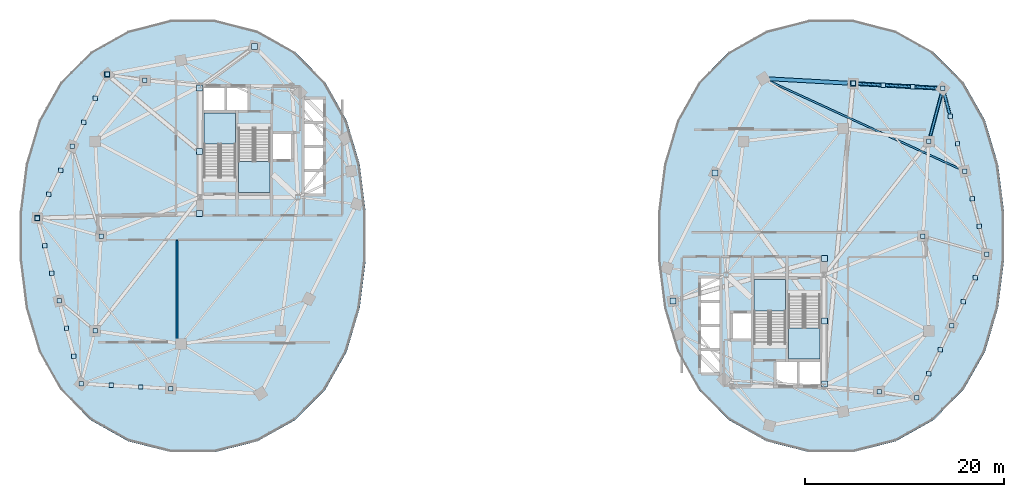
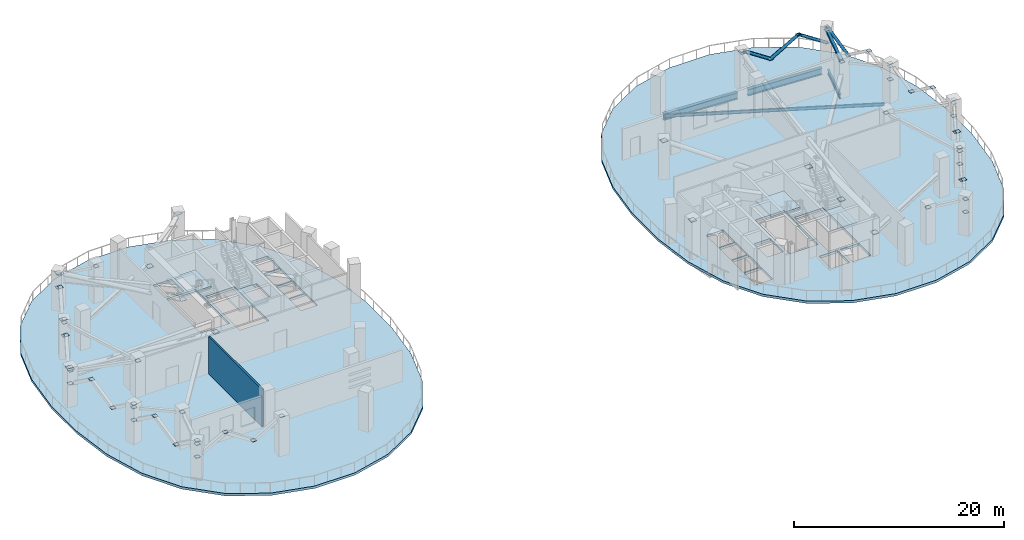
# One storey, part 4 of 12: 68 plates, 6 slabs, 5 members, 4 beams, 1 wall, 4 elements without a shape of their own.
"""IFC4 building model written with IfcOpenShell, lengths in metres."""

import ifcopenshell
import ifcopenshell.guid

model = None  # the IFC model being written
_history = None  # IfcOwnerHistory: only IFC2X3 demands one
_inside = {}  # id of a spatial element -> (the spatial element, [elements in it])
_under = {}  # id of a project, library or spatial element -> (it, [spatial elements below it])
_declared = {}  # id of a project -> (the project, [libraries it declares])
_typed = {}  # id of a type object -> (the type object, [elements of that type])
_made_of = {}  # id of a material, layer set ... -> (it, [elements and type objects made of it])


def new_model(schema):
    """Start an empty IFC model of exactly this schema.

    Asked for "IFC4X3", IfcOpenShell would pick the latest addendum, in which some entities
    have other attributes; the version numbers below select the first issue.
    IFC2X3 requires an IfcOwnerHistory on every rooted entity: one is made here for all.
    """
    global model, _history
    if schema == "IFC4X3":
        model = ifcopenshell.file(schema_version=(4, 3, 0, 0))
    else:
        model = ifcopenshell.file(schema=schema)
    _inside.clear()
    _under.clear()
    _declared.clear()
    _typed.clear()
    _made_of.clear()
    _history = None
    if model.schema == "IFC2X3":
        org = make("IfcOrganization", Name="unknown")
        user = make(
            "IfcPersonAndOrganization",
            ThePerson=make("IfcPerson", FamilyName="unknown"),
            TheOrganization=org,
        )
        app = make(
            "IfcApplication",
            ApplicationDeveloper=org,
            Version="unknown",
            ApplicationFullName="unknown",
            ApplicationIdentifier="unknown",
        )
        _history = make(
            "IfcOwnerHistory",
            OwningUser=user,
            OwningApplication=app,
            ChangeAction="ADDED",
            CreationDate=0,
        )
    return model


def make(cls, **values):
    """One entity of the class cls with the attributes given. An attribute that is None is left unset."""
    return model.create_entity(
        cls, **{name: value for name, value in values.items() if value is not None}
    )


def rooted(cls, **values):
    """An entity with a GlobalId (a new one), such as an element, a storey or a relation."""
    return make(cls, GlobalId=ifcopenshell.guid.new(), OwnerHistory=_history, **values)


def si_unit(unit_type, name, prefix=None):
    """IfcSIUnit, for example si_unit("LENGTHUNIT", "METRE", prefix="MILLI")."""
    return make("IfcSIUnit", UnitType=unit_type, Prefix=prefix, Name=name)


def assignment(units):
    """IfcUnitAssignment: the units of a project."""
    return None if units is None else make("IfcUnitAssignment", Units=units)


def point(xyz):
    """IfcCartesianPoint."""
    return None if xyz is None else make("IfcCartesianPoint", Coordinates=xyz)


def direction(xyz):
    """IfcDirection."""
    return None if xyz is None else make("IfcDirection", DirectionRatios=xyz)


def frame(location, z_axis=None, x_axis=None):
    """IfcAxis2Placement3D, a coordinate frame: its origin and axes. An axis left out is left unset."""
    return make(
        "IfcAxis2Placement3D",
        Location=point(location),
        Axis=direction(z_axis),
        RefDirection=direction(x_axis),
    )


def frame_2d(location, x_axis=None):
    """IfcAxis2Placement2D, a coordinate frame in the plane: its origin and x axis."""
    return make(
        "IfcAxis2Placement2D", Location=point(location), RefDirection=direction(x_axis)
    )


def origin():
    """The frame at (0, 0, 0) with its axes left unset."""
    return frame((0.0, 0.0, 0.0))


def origin_2d():
    """The frame at (0, 0) in the plane with its x axis left unset."""
    return frame_2d((0.0, 0.0))


def place(relative_to, where):
    """IfcLocalPlacement: puts the frame where relative to a parent placement (None: the world)."""
    return make(
        "IfcLocalPlacement", PlacementRelTo=relative_to, RelativePlacement=where
    )


def context(
    kind, dimensions, precision=None, world=None, true_north=None, identifier=None
):
    """IfcGeometricRepresentationContext, for example the 3D "Model" context."""
    return make(
        "IfcGeometricRepresentationContext",
        ContextIdentifier=identifier,
        ContextType=kind,
        CoordinateSpaceDimension=dimensions,
        Precision=precision,
        WorldCoordinateSystem=world,
        TrueNorth=true_north,
    )


def subcontext(parent, identifier, kind, view, scale=None):
    """IfcGeometricRepresentationSubContext, for example "Body" below "Model"."""
    return make(
        "IfcGeometricRepresentationSubContext",
        ContextIdentifier=identifier,
        ContextType=kind,
        ParentContext=parent,
        TargetScale=scale,
        TargetView=view,
    )


def project(units=None, contexts=None):
    """IfcProject with its units and contexts."""
    return rooted(
        "IfcProject",
        Name="project",
        RepresentationContexts=contexts,
        UnitsInContext=assignment(units),
    )


def spatial(cls, under=None, at=None, **own):
    """A site, building, storey or space (cls), placed at a placement, below another one or the project."""
    s = rooted(cls, ObjectPlacement=at, **own)
    if under is not None:
        _under.setdefault(under.id(), (under, []))[1].append(s)
    return s


def polyline(points):
    """IfcPolyline through the points."""
    return make("IfcPolyline", Points=[point(p) for p in points])


def profile(cls, at=None, kind="AREA", **sizes):
    """A parametric profile (cls). Its sizes go by their IFC names, for example OverallWidth=200.0."""
    return make(cls, ProfileType=kind, Position=at, **sizes)


def rectangle(**sizes):
    """IfcRectangleProfileDef."""
    return profile("IfcRectangleProfileDef", **sizes)


def hollow_rectangle(**sizes):
    """IfcRectangleHollowProfileDef."""
    return profile("IfcRectangleHollowProfileDef", **sizes)


def hollow_circle(**sizes):
    """IfcCircleHollowProfileDef."""
    return profile("IfcCircleHollowProfileDef", **sizes)


def i_section(**sizes):
    """IfcIShapeProfileDef."""
    return profile("IfcIShapeProfileDef", **sizes)


def outline(outer, holes=None, kind="AREA"):
    """IfcArbitraryClosedProfileDef: a profile drawn as a closed curve; with holes, ...WithVoids."""
    if holes is None:
        return make("IfcArbitraryClosedProfileDef", ProfileType=kind, OuterCurve=outer)
    return make(
        "IfcArbitraryProfileDefWithVoids",
        ProfileType=kind,
        OuterCurve=outer,
        InnerCurves=holes,
    )


def extrude(swept, where, along, depth):
    """IfcExtrudedAreaSolid: the profile swept, set in the frame where, extruded along a direction by depth."""
    return make(
        "IfcExtrudedAreaSolid",
        SweptArea=swept,
        Position=where,
        ExtrudedDirection=direction(along),
        Depth=depth,
    )


def shape(context_of_items, identifier, shape_type, items):
    """IfcShapeRepresentation: the items that make up one representation, for example the "Body"."""
    return make(
        "IfcShapeRepresentation",
        ContextOfItems=context_of_items,
        RepresentationIdentifier=identifier,
        RepresentationType=shape_type,
        Items=items,
    )


def material(Name=None, Category=None):
    """IfcMaterial."""
    return make("IfcMaterial", Name=Name, Category=Category)


def layer(
    of_material, thickness, ventilated=None, Name=None, Category=None, Priority=None
):
    """IfcMaterialLayer: one layer of a wall or slab, of a material (None: an air gap)."""
    return make(
        "IfcMaterialLayer",
        Material=of_material,
        LayerThickness=thickness,
        IsVentilated=ventilated,
        Name=Name,
        Category=Category,
        Priority=Priority,
    )


def layer_set(layers, Name=None):
    """IfcMaterialLayerSet."""
    return make("IfcMaterialLayerSet", MaterialLayers=layers, LayerSetName=Name)


def material_profile(
    of_material, cross_section, Name=None, Category=None, Priority=None
):
    """IfcMaterialProfile: a cross section and its material."""
    return make(
        "IfcMaterialProfile",
        Name=Name,
        Material=of_material,
        Profile=cross_section,
        Priority=Priority,
        Category=Category,
    )


def profile_set(profiles, Name=None, composite=None):
    """IfcMaterialProfileSet."""
    return make(
        "IfcMaterialProfileSet",
        Name=Name,
        MaterialProfiles=profiles,
        CompositeProfile=composite,
    )


def made_of(thing, what):
    """Note that an element or type object is made of a material, layer set ...; save() writes the relation."""
    if what is not None:
        _made_of.setdefault(what.id(), (what, []))[1].append(thing)
    return thing


def type_object(cls, material=None, **own):
    """A type object (cls), such as IfcWallType, which elements share."""
    return made_of(rooted(cls, **own), material)


def element(
    cls,
    number,
    at=None,
    inside=None,
    cuts=None,
    type_object=None,
    material=None,
    context=None,
    identifier="Body",
    shape_type=None,
    held_by="IfcProductDefinitionShape",
    body=None,
    shapes=None,
    **own,
):
    """One element of the class cls, such as IfcWall. Its Tag is "e" and its number.

    at: its placement. inside: the storey or other place that contains it. cuts: it is an
    opening in that element (IfcRelVoidsElement). A single representation is given by context,
    identifier, shape_type and body (its items); several are given by shapes. held_by: the class
    of the entity that holds the representations. save() writes the other relations.
    """
    e = rooted(cls, Tag="e%d" % number, ObjectPlacement=at, **own)
    if body is not None:
        shapes = [shape(context, identifier, shape_type, body)]
    if shapes is not None:
        e.Representation = make(held_by, Representations=shapes)
    if inside is not None:
        _inside.setdefault(inside.id(), (inside, []))[1].append(e)
    if cuts is not None:
        rooted(
            "IfcRelVoidsElement", RelatingBuildingElement=cuts, RelatedOpeningElement=e
        )
    if type_object is not None:
        _typed.setdefault(type_object.id(), (type_object, []))[1].append(e)
    return made_of(e, material)


def aggregate(whole, parts):
    """IfcRelAggregates: a whole, such as a stair, and the parts it consists of."""
    return rooted("IfcRelAggregates", RelatingObject=whole, RelatedObjects=parts)


def save(model, path):
    """Write the relations noted so far, then the file.

    IfcRelAggregates (storeys below a building ...), IfcRelContainedInSpatialStructure (elements
    in a storey), IfcRelDefinesByType, IfcRelAssociatesMaterial and IfcRelDeclares: one each for
    every whole, place, type object, material and project.
    """
    for whole, parts in _under.values():
        aggregate(whole, parts)
    for where, things in _inside.values():
        rooted(
            "IfcRelContainedInSpatialStructure",
            RelatedElements=things,
            RelatingStructure=where,
        )
    for kind, things in _typed.values():
        rooted("IfcRelDefinesByType", RelatedObjects=things, RelatingType=kind)
    for what, things in _made_of.values():
        rooted("IfcRelAssociatesMaterial", RelatedObjects=things, RelatingMaterial=what)
    for by, libraries in _declared.values():
        rooted("IfcRelDeclares", RelatingContext=by, RelatedDefinitions=libraries)
    model.write(path)


model = new_model("IFC4")

# Units and contexts
model_context = context("Model", 3, precision=1e-05, world=origin(), true_north=direction((0.0, 1.0)))
body_context = subcontext(model_context, "Body", "Model", "MODEL_VIEW")
ifc_project = project(units=[si_unit("LENGTHUNIT", "METRE"), si_unit("AREAUNIT", "SQUARE_METRE"), si_unit("VOLUMEUNIT", "CUBIC_METRE"), si_unit("PLANEANGLEUNIT", "RADIAN"), si_unit("MASSUNIT", "GRAM", prefix="KILO"), si_unit("THERMODYNAMICTEMPERATUREUNIT", "KELVIN"), si_unit("POWERUNIT", "WATT")], contexts=[model_context])

# Site, building, storey
site_placement = place(None, origin())
site = spatial("IfcSite", under=ifc_project, at=site_placement, CompositionType="ELEMENT")
building_placement = place(site_placement, origin())
building = spatial("IfcBuilding", under=site, at=building_placement, Name="Cundina Bronze Exchange", CompositionType="ELEMENT")
storey_placement = place(building_placement, frame((0.0, 0.0, 132.199951171875)))
storey = spatial("IfcBuildingStorey", under=building, at=storey_placement, Name="L34", CompositionType="ELEMENT", Elevation=132.199951171875)

# Beams
ifc_material_1 = material(Name="Steel ASTM A992 Grade 50", Category="steel")
ifc_material_profile_1 = material_profile(ifc_material_1, i_section(OverallWidth=0.2099609375, OverallDepth=0.532958984375, WebThickness=0.01025390625, FlangeThickness=0.015625, FilletRadius=0.013916015625, at=origin_2d()), Name="W21X62", Category="steel")
ifc_profile_set_1 = profile_set([ifc_material_profile_1], Name="Steel ASTM A992 Grade 50")
beam_type_1 = type_object("IfcBeamType", Name="BM-FLR-W21B", PredefinedType="BEAM", material=ifc_profile_set_1)
beam_1_placement = place(storey_placement, frame((41.9375, 10.020263671875, -0.54638671875), z_axis=(0.255357891402, 0.966846599673, 0.0), x_axis=(-0.966846599673, 0.255357891402, 0.0)))
element("IfcBeam", 1, at=beam_1_placement, inside=storey, type_object=beam_type_1, Name="L34 Leg E Chordal Floor Beam 10", PredefinedType="BEAM", context=body_context, shape_type="SweptSolid", body=[
    extrude(i_section(OverallWidth=0.2099609375, OverallDepth=0.532958984375, WebThickness=0.01025390625, FlangeThickness=0.015625, FilletRadius=0.013916015625, at=origin_2d()), origin(), (0.0, 0.0, 1.0), 4.405517578125),
])
ifc_material_profile_2 = material_profile(ifc_material_1, i_section(OverallWidth=0.172119140625, OverallDepth=0.35791015625, WebThickness=0.0078125, FlangeThickness=0.01318359375, FilletRadius=0.010009765625, at=origin_2d()), Name="W14X38", Category="steel")
ifc_profile_set_2 = profile_set([ifc_material_profile_2], Name="Steel ASTM A992 Grade 50")
beam_type_2 = type_object("IfcBeamType", Name="BM-JST-W14", PredefinedType="JOIST", material=ifc_profile_set_2)
beam_2_placement = place(storey_placement, frame((44.911376953125, 6.72509765625, -0.458984375), z_axis=(-0.908357076874, 0.41819543385, 0.0), x_axis=(-0.41819543385, -0.908357076874, 0.0)))
element("IfcBeam", 2, at=beam_2_placement, inside=storey, type_object=beam_type_2, Name="L34 Leg E Lobe Floor Joist 09-12", PredefinedType="JOIST", context=body_context, shape_type="SweptSolid", body=[
    extrude(i_section(OverallWidth=0.172119140625, OverallDepth=0.35791015625, WebThickness=0.0078125, FlangeThickness=0.01318359375, FilletRadius=0.010009765625, at=origin_2d()), origin(), (0.0, 0.0, 1.0), 21.162109375),
])
ifc_material_profile_3 = material_profile(ifc_material_1, i_section(OverallWidth=0.381103515625, OverallDepth=0.77294921875, WebThickness=0.0166015625, FlangeThickness=0.027099609375, FilletRadius=0.01904296875, at=origin_2d()), Name="W30X173", Category="steel")
ifc_profile_set_3 = profile_set([ifc_material_profile_3], Name="Steel ASTM A992 Grade 50")
beam_type_3 = type_object("IfcBeamType", Name="BM-RING-W30", PredefinedType="USERDEFINED", material=ifc_profile_set_3)
for number, where, z_axis, x_axis, name in (
    (3, (42.662841796875, 14.829833984375, -0.66650390625), (-0.99845950136, 0.055485350721, 0.0), (-0.055485350721, -0.99845950136, 0.0), "L34 E Perimeter Ring Girder 10"),
    (4, (33.662841796875, 15.329833984375, -0.66650390625), (-0.99845950136, 0.055485350721, 0.0), (-0.055485350721, -0.99845950136, 0.0), "L34 E Perimeter Ring Girder 11"),
):
    element("IfcBeam", number, at=place(storey_placement, frame(where, z_axis=z_axis, x_axis=x_axis)), inside=storey, type_object=beam_type_3, Name=name, ObjectType="GIRDER", PredefinedType="USERDEFINED", context=body_context, shape_type="SweptSolid", body=[
        extrude(i_section(OverallWidth=0.381103515625, OverallDepth=0.77294921875, WebThickness=0.0166015625, FlangeThickness=0.027099609375, FilletRadius=0.01904296875, at=origin_2d()), origin(), (0.0, 0.0, 1.0), 7.937744140625),
    ])

# Members
ifc_material_2 = material(Name="Steel ASTM A500 Grade C", Category="steel")
ifc_material_profile_4 = material_profile(ifc_material_2, hollow_circle(Radius=0.162109375, WallThickness=0.01611328125, at=origin_2d()), Name="CHS324X16", Category="steel")
ifc_profile_set_4 = profile_set([ifc_material_profile_4], Name="Steel ASTM A500 Grade C")
member_type_1 = type_object("IfcMemberType", Name="MBR-BLT-CHS324", PredefinedType="BRACE", material=ifc_profile_set_4)
member_1_placement = place(storey_placement, frame((43.933349609375, 12.033203125, 2.41015625), z_axis=(-0.213129937206, 0.804061777082, 0.555031790533), x_axis=(-0.966618915213, -0.256218408303, 0.0)))
element("IfcMember", 5, at=member_1_placement, inside=storey, type_object=member_type_1, Name="L34 E Perimeter Belt M-Truss Diagonal 3C", PredefinedType="BRACE", context=body_context, shape_type="SweptSolid", body=[
    extrude(hollow_circle(Radius=0.162109375, WallThickness=0.01611328125, at=origin_2d()), origin(), (0.0, 0.0, 1.0), 3.441162109375),
])
for number, where, z_axis, x_axis, name in (
    (6, (43.199951171875, 14.800048828125, 2.41015625), (-0.842631169313, 0.046835700573, 0.536450491336), (-0.055497021194, -0.998458852752, 0.0), "L34 E Perimeter Belt M-Truss Diagonal 5A"),
    (7, (40.199951171875, 14.966796875, 4.320068359375), (-0.842633873613, 0.046767277165, -0.536452212994), (-0.055416016115, -0.998463351935, 0.0), "L34 E Perimeter Belt M-Truss Diagonal 5B"),
    (8, (37.199951171875, 15.13330078125, 2.41015625), (-0.842631169313, 0.046835700573, 0.536450491336), (-0.055497021194, -0.998458852752, 0.0), "L34 E Perimeter Belt M-Truss Diagonal 5C"),
):
    element("IfcMember", number, at=place(storey_placement, frame(where, z_axis=z_axis, x_axis=x_axis)), inside=storey, type_object=member_type_1, Name=name, PredefinedType="BRACE", context=body_context, shape_type="SweptSolid", body=[
        extrude(hollow_circle(Radius=0.162109375, WallThickness=0.01611328125, at=origin_2d()), origin(), (0.0, 0.0, 1.0), 3.560302734375),
    ])
ifc_material_profile_5 = material_profile(ifc_material_2, hollow_rectangle(XDim=0.300048828125, YDim=0.300048828125, WallThickness=0.01611328125, at=origin_2d()), Name="HSS300X300X16", Category="steel")
ifc_profile_set_5 = profile_set([ifc_material_profile_5], Name="Steel ASTM A500 Grade C")
member_type_2 = type_object("IfcMemberType", Name="MBR-BLT-HSS300", PredefinedType="STRUT", material=ifc_profile_set_5)
member_2_placement = place(storey_placement, frame((41.800048828125, 9.5, 3.91015625), z_axis=(0.255372270734, 0.966842801773, 0.0), x_axis=(-0.966842801773, 0.255372270734, 0.0)))
element("IfcMember", 9, at=member_2_placement, inside=storey, type_object=member_type_2, Name="L34 E Outrigger Collector Strut 5", PredefinedType="STRUT", context=body_context, shape_type="SweptSolid", body=[
    extrude(hollow_rectangle(XDim=0.300048828125, YDim=0.300048828125, WallThickness=0.01611328125, at=origin_2d()), origin(), (0.0, 0.0, 1.0), 5.481689453125),
])

# Plates
ifc_material_3 = material(Name="Steel ASTM A572 Grade 50", Category="steel")
ifc_layer_1 = layer(ifc_material_3, 0.02001953125, Name="Steel ASTM A572 Grade 50", Category="steel")
ifc_layer_set_1 = layer_set([ifc_layer_1], Name="Steel ASTM A572 Grade 50")
plate_type_1 = type_object("IfcPlateType", Name="PLT-CAP-STL20", PredefinedType="USERDEFINED", material=ifc_layer_set_1)
for number, where, z_axis, x_axis, name in (
    (10, (-47.60009765625, 1.800048828125, 2.400146484375), (0.0, 0.0, 1.0), (1.0, 0.0, 0.0), "L34 W Perimeter Belt M-Truss Diagonal 1A End Cap Plate 1"),
    (11, (-46.86669921875, -0.966796875, 4.31005859375), (0.0, 0.0, 1.0), (1.0, 0.0, 0.0), "L34 W Perimeter Belt M-Truss Diagonal 1A End Cap Plate 2"),
    (12, (-46.13330078125, -3.7333984375, 2.400146484375), (0.0, 0.0, 1.0), (1.0, 0.0, 0.0), "L34 W Perimeter Belt M-Truss Diagonal 1B End Cap Plate 2"),
    (13, (-45.39990234375, -6.5, 4.31005859375), (0.0, 0.0, 1.0), (1.0, 0.0, 0.0), "L34 W Perimeter Belt M-Truss Diagonal 1C End Cap Plate 2"),
    (14, (-41.199951171875, 0.0, 3.900146484375), (0.0, 0.0, 1.0), (1.0, 0.0, 0.0), "L34 W Outrigger Collector Strut 1 End Cap Plate 1"),
    (15, (-47.60009765625, 1.800048828125, 3.900146484375), (0.0, 0.0, 1.0), (1.0, 0.0, 0.0), "L34 W Outrigger Collector Strut 1 End Cap Plate 2"),
    (16, (-44.10009765625, 9.0, 2.400146484375), (0.0, 0.0, 1.0), (1.0, 0.0, 0.0), "L34 W Perimeter Belt M-Truss Diagonal 2A End Cap Plate 1"),
    (17, (-45.2666015625, 6.60009765625, 4.31005859375), (0.0, 0.0, 1.0), (1.0, 0.0, 0.0), "L34 W Perimeter Belt M-Truss Diagonal 2A End Cap Plate 2"),
    (18, (-46.433349609375, 4.199951171875, 2.400146484375), (0.0, 0.0, 1.0), (1.0, 0.0, 0.0), "L34 W Perimeter Belt M-Truss Diagonal 2B End Cap Plate 2"),
    (19, (-47.60009765625, 1.800048828125, 4.31005859375), (0.0, 0.0, 1.0), (1.0, 0.0, 0.0), "L34 W Perimeter Belt M-Truss Diagonal 2C End Cap Plate 2"),
    (20, (-44.10009765625, 9.0, 3.900146484375), (0.0, 0.0, 1.0), (1.0, 0.0, 0.0), "L34 W Outrigger Collector Strut 2 End Cap Plate 2"),
    (21, (-45.39990234375, -6.5, 2.400146484375), (0.0, 0.0, 1.0), (1.0, 0.0, 0.0), "L34 W Perimeter Belt M-Truss Diagonal 3A End Cap Plate 1"),
    (22, (-44.666748046875, -9.2666015625, 4.31005859375), (0.0, 0.0, 1.0), (1.0, 0.0, 0.0), "L34 W Perimeter Belt M-Truss Diagonal 3A End Cap Plate 2"),
    (23, (-43.933349609375, -12.033203125, 2.400146484375), (0.0, 0.0, 1.0), (1.0, 0.0, 0.0), "L34 W Perimeter Belt M-Truss Diagonal 3B End Cap Plate 2"),
    (24, (-43.199951171875, -14.800048828125, 4.31005859375), (0.0, 0.0, 1.0), (1.0, 0.0, 0.0), "L34 W Perimeter Belt M-Truss Diagonal 3C End Cap Plate 2"),
    (25, (-41.800048828125, -9.5, 3.900146484375), (0.0, 0.0, 1.0), (1.0, 0.0, 0.0), "L34 W Outrigger Collector Strut 3 End Cap Plate 1"),
    (26, (-45.39990234375, -6.5, 3.900146484375), (0.0, 0.0, 1.0), (1.0, 0.0, 0.0), "L34 W Outrigger Collector Strut 3 End Cap Plate 2"),
    (27, (-40.60009765625, 16.199951171875, 2.400146484375), (0.0, 0.0, 1.0), (1.0, 0.0, 0.0), "L34 W Perimeter Belt M-Truss Diagonal 4A End Cap Plate 1"),
    (28, (-41.7666015625, 13.800048828125, 4.31005859375), (0.0, 0.0, 1.0), (1.0, 0.0, 0.0), "L34 W Perimeter Belt M-Truss Diagonal 4A End Cap Plate 2"),
    (29, (-42.933349609375, 11.39990234375, 2.400146484375), (0.0, 0.0, 1.0), (1.0, 0.0, 0.0), "L34 W Perimeter Belt M-Truss Diagonal 4B End Cap Plate 2"),
    (30, (-44.10009765625, 9.0, 4.31005859375), (0.0, 0.0, 1.0), (1.0, 0.0, 0.0), "L34 W Perimeter Belt M-Truss Diagonal 4C End Cap Plate 2"),
    (31, (-36.800048828125, 15.60009765625, 3.900146484375), (0.0, 0.0, 1.0), (1.0, 0.0, 0.0), "L34 W Outrigger Collector Strut 4 End Cap Plate 1"),
    (32, (-40.60009765625, 16.199951171875, 3.900146484375), (0.0, 0.0, 1.0), (1.0, 0.0, 0.0), "L34 W Outrigger Collector Strut 4 End Cap Plate 2"),
    (33, (-43.199951171875, -14.800048828125, 2.400146484375), (0.0, 0.0, 1.0), (1.0, 0.0, 0.0), "L34 W Perimeter Belt M-Truss Diagonal 5A End Cap Plate 1"),
    (34, (-40.199951171875, -14.966796875, 4.31005859375), (0.0, 0.0, 1.0), (1.0, 0.0, 0.0), "L34 W Perimeter Belt M-Truss Diagonal 5A End Cap Plate 2"),
    (35, (-37.199951171875, -15.13330078125, 2.400146484375), (0.0, 0.0, 1.0), (1.0, 0.0, 0.0), "L34 W Perimeter Belt M-Truss Diagonal 5B End Cap Plate 2"),
    (36, (-34.199951171875, -15.300048828125, 4.31005859375), (0.0, 0.0, 1.0), (1.0, 0.0, 0.0), "L34 W Perimeter Belt M-Truss Diagonal 5C End Cap Plate 2"),
    (37, (-43.199951171875, -14.800048828125, 3.900146484375), (0.0, 0.0, 1.0), (1.0, 0.0, 0.0), "L34 W Outrigger Collector Strut 5 End Cap Plate 2"),
    (38, (47.60009765625, -1.800048828125, 2.400146484375), (0.0, 0.0, 1.0), (1.0, 0.0, 0.0), "L34 E Perimeter Belt M-Truss Diagonal 1A End Cap Plate 1"),
    (39, (46.86669921875, 0.966796875, 4.31005859375), (0.0, 0.0, 1.0), (1.0, 0.0, 0.0), "L34 E Perimeter Belt M-Truss Diagonal 1A End Cap Plate 2"),
    (40, (46.13330078125, 3.7333984375, 2.400146484375), (0.0, 0.0, 1.0), (1.0, 0.0, 0.0), "L34 E Perimeter Belt M-Truss Diagonal 1B End Cap Plate 2"),
    (41, (45.39990234375, 6.5, 4.31005859375), (0.0, 0.0, 1.0), (1.0, 0.0, 0.0), "L34 E Perimeter Belt M-Truss Diagonal 1C End Cap Plate 2"),
    (42, (41.199951171875, 0.0, 3.900146484375), (0.0, 0.0, 1.0), (1.0, 0.0, 0.0), "L34 E Outrigger Collector Strut 1 End Cap Plate 1"),
    (43, (47.60009765625, -1.800048828125, 3.900146484375), (0.0, 0.0, 1.0), (1.0, 0.0, 0.0), "L34 E Outrigger Collector Strut 1 End Cap Plate 2"),
    (44, (44.10009765625, -9.0, 2.400146484375), (0.0, 0.0, 1.0), (1.0, 0.0, 0.0), "L34 E Perimeter Belt M-Truss Diagonal 2A End Cap Plate 1"),
    (45, (45.2666015625, -6.60009765625, 4.31005859375), (0.0, 0.0, 1.0), (1.0, 0.0, 0.0), "L34 E Perimeter Belt M-Truss Diagonal 2A End Cap Plate 2"),
    (46, (46.433349609375, -4.199951171875, 2.400146484375), (0.0, 0.0, 1.0), (1.0, 0.0, 0.0), "L34 E Perimeter Belt M-Truss Diagonal 2B End Cap Plate 2"),
    (47, (47.60009765625, -1.800048828125, 4.31005859375), (0.0, 0.0, 1.0), (1.0, 0.0, 0.0), "L34 E Perimeter Belt M-Truss Diagonal 2C End Cap Plate 2"),
    (48, (44.10009765625, -9.0, 3.900146484375), (0.0, 0.0, 1.0), (1.0, 0.0, 0.0), "L34 E Outrigger Collector Strut 2 End Cap Plate 2"),
    (49, (45.39990234375, 6.5, 2.400146484375), (0.0, 0.0, 1.0), (1.0, 0.0, 0.0), "L34 E Perimeter Belt M-Truss Diagonal 3A End Cap Plate 1"),
    (50, (44.666748046875, 9.2666015625, 4.31005859375), (0.0, 0.0, 1.0), (1.0, 0.0, 0.0), "L34 E Perimeter Belt M-Truss Diagonal 3A End Cap Plate 2"),
    (51, (43.933349609375, 12.033203125, 2.400146484375), (0.0, 0.0, 1.0), (1.0, 0.0, 0.0), "L34 E Perimeter Belt M-Truss Diagonal 3B End Cap Plate 2"),
    (52, (43.199951171875, 14.800048828125, 4.31005859375), (0.0, 0.0, 1.0), (1.0, 0.0, 0.0), "L34 E Perimeter Belt M-Truss Diagonal 3C End Cap Plate 2"),
    (53, (41.800048828125, 9.5, 3.900146484375), (0.0, 0.0, 1.0), (1.0, 0.0, 0.0), "L34 E Outrigger Collector Strut 3 End Cap Plate 1"),
    (54, (45.39990234375, 6.5, 3.900146484375), (0.0, 0.0, 1.0), (1.0, 0.0, 0.0), "L34 E Outrigger Collector Strut 3 End Cap Plate 2"),
    (55, (40.60009765625, -16.199951171875, 2.400146484375), (0.0, 0.0, 1.0), (1.0, 0.0, 0.0), "L34 E Perimeter Belt M-Truss Diagonal 4A End Cap Plate 1"),
    (56, (41.7666015625, -13.800048828125, 4.31005859375), (0.0, 0.0, 1.0), (1.0, 0.0, 0.0), "L34 E Perimeter Belt M-Truss Diagonal 4A End Cap Plate 2"),
    (57, (42.933349609375, -11.39990234375, 2.400146484375), (0.0, 0.0, 1.0), (1.0, 0.0, 0.0), "L34 E Perimeter Belt M-Truss Diagonal 4B End Cap Plate 2"),
    (58, (44.10009765625, -9.0, 4.31005859375), (0.0, 0.0, 1.0), (1.0, 0.0, 0.0), "L34 E Perimeter Belt M-Truss Diagonal 4C End Cap Plate 2"),
    (59, (36.800048828125, -15.60009765625, 3.900146484375), (0.0, 0.0, 1.0), (1.0, 0.0, 0.0), "L34 E Outrigger Collector Strut 4 End Cap Plate 1"),
    (60, (40.60009765625, -16.199951171875, 3.900146484375), (0.0, 0.0, 1.0), (1.0, 0.0, 0.0), "L34 E Outrigger Collector Strut 4 End Cap Plate 2"),
    (61, (43.199951171875, 14.800048828125, 2.400146484375), (0.0, 0.0, 1.0), (1.0, 0.0, 0.0), "L34 E Perimeter Belt M-Truss Diagonal 5A End Cap Plate 1"),
    (62, (40.199951171875, 14.966796875, 4.31005859375), (0.0, 0.0, 1.0), (1.0, 0.0, 0.0), "L34 E Perimeter Belt M-Truss Diagonal 5A End Cap Plate 2"),
    (63, (37.199951171875, 15.13330078125, 2.400146484375), (0.0, 0.0, 1.0), (1.0, 0.0, 0.0), "L34 E Perimeter Belt M-Truss Diagonal 5B End Cap Plate 2"),
    (64, (34.199951171875, 15.300048828125, 4.31005859375), (0.0, 0.0, 1.0), (1.0, 0.0, 0.0), "L34 E Perimeter Belt M-Truss Diagonal 5C End Cap Plate 2"),
    (65, (43.199951171875, 14.800048828125, 3.900146484375), (0.0, 0.0, 1.0), (1.0, 0.0, 0.0), "L34 E Outrigger Collector Strut 5 End Cap Plate 2"),
):
    element("IfcPlate", number, at=place(storey_placement, frame(where, z_axis=z_axis, x_axis=x_axis)), inside=storey, type_object=plate_type_1, Name=name, ObjectType="STIFFENER_PLATE", PredefinedType="USERDEFINED", context=body_context, shape_type="SweptSolid", body=[
        extrude(rectangle(XDim=0.449951171875, YDim=0.449951171875, at=origin_2d()), origin(), (0.0, 0.0, 1.0), 0.02001953125),
    ])
ifc_layer_2 = layer(ifc_material_3, 0.02490234375, Name="Steel ASTM A572 Grade 50", Category="steel")
ifc_layer_set_2 = layer_set([ifc_layer_2], Name="Steel ASTM A572 Grade 50")
plate_type_2 = type_object("IfcPlateType", Name="PLT-CAP-STL25", PredefinedType="USERDEFINED", material=ifc_layer_set_2)
for number, where, z_axis, x_axis, name in (
    (66, (-31.35009765625, 14.85009765625, 2.4375), (0.0, 0.0, 1.0), (1.0, 0.0, 0.0), "L34 W Outrigger Truss Diagonal 1 End Cap Plate 1"),
    (67, (-25.800048828125, 19.0, 4.147705078125), (0.0, 0.0, 1.0), (1.0, 0.0, 0.0), "L34 W Outrigger Truss Diagonal 1 End Cap Plate 2"),
    (68, (-31.35009765625, 8.5, 2.4375), (0.0, 0.0, 1.0), (1.0, 0.0, 0.0), "L34 W Outrigger Truss Diagonal 2 End Cap Plate 1"),
    (69, (-40.60009765625, 16.199951171875, 4.147705078125), (0.0, 0.0, 1.0), (1.0, 0.0, 0.0), "L34 W Outrigger Truss Diagonal 2 End Cap Plate 2"),
    (70, (-31.35009765625, 2.25, 2.4375), (0.0, 0.0, 1.0), (1.0, 0.0, 0.0), "L34 W Outrigger Truss Diagonal 3 End Cap Plate 1"),
    (71, (-47.60009765625, 1.800048828125, 4.147705078125), (0.0, 0.0, 1.0), (1.0, 0.0, 0.0), "L34 W Outrigger Truss Diagonal 3 End Cap Plate 2"),
    (72, (31.35009765625, -14.85009765625, 2.4375), (0.0, 0.0, 1.0), (1.0, 0.0, 0.0), "L34 E Outrigger Truss Diagonal 1 End Cap Plate 1"),
    (73, (34.199951171875, 15.300048828125, 4.147705078125), (0.0, 0.0, 1.0), (1.0, 0.0, 0.0), "L34 E Outrigger Truss Diagonal 1 End Cap Plate 2"),
    (74, (31.35009765625, -8.5, 2.4375), (0.0, 0.0, 1.0), (1.0, 0.0, 0.0), "L34 E Outrigger Truss Diagonal 2 End Cap Plate 1"),
    (75, (20.375, 6.300048828125, 4.147705078125), (0.0, 0.0, 1.0), (1.0, 0.0, 0.0), "L34 E Outrigger Truss Diagonal 2 End Cap Plate 2"),
    (76, (31.35009765625, -2.25, 2.4375), (0.0, 0.0, 1.0), (1.0, 0.0, 0.0), "L34 E Outrigger Truss Diagonal 3 End Cap Plate 1"),
    (77, (16.125, -6.5, 4.147705078125), (0.0, 0.0, 1.0), (1.0, 0.0, 0.0), "L34 E Outrigger Truss Diagonal 3 End Cap Plate 2"),
):
    element("IfcPlate", number, at=place(storey_placement, frame(where, z_axis=z_axis, x_axis=x_axis)), inside=storey, type_object=plate_type_2, Name=name, ObjectType="STIFFENER_PLATE", PredefinedType="USERDEFINED", context=body_context, shape_type="SweptSolid", body=[
        extrude(rectangle(XDim=0.60009765625, YDim=0.60009765625, at=origin_2d()), origin(), (0.0, 0.0, 1.0), 0.02490234375),
    ])

# Stair, slab
ifc_material_4 = material(Name="Concrete C40/50", Category="concrete")
stair_type = type_object("IfcStairType", Name="STR-REF-460", PredefinedType="HALF_TURN_STAIR", material=ifc_material_4)
stair_1_placement = place(storey_placement, origin())
stair_1 = element("IfcStair", 78, at=stair_1_placement, inside=storey, type_object=stair_type, Name="L34 Smokeproof Exit Stair W1", PredefinedType="HALF_TURN_STAIR")
ifc_layer_3 = layer(ifc_material_4, 0.199951171875, Name="Concrete C40/50", Category="concrete")
ifc_layer_set_3 = layer_set([ifc_layer_3], Name="Concrete C40/50")
slab_type_1 = type_object("IfcSlabType", Name="SLB-LND-200", PredefinedType="LANDING", material=ifc_layer_set_3)
slab_1_placement = place(storey_placement, frame((0.0, 0.0, 2.10009765625)))
slab_1 = element("IfcSlab", 79, at=slab_1_placement, type_object=slab_type_1, Name="ST-W1 landing 1", PredefinedType="LANDING", context=body_context, shape_type="SweptSolid", body=[
    extrude(outline(polyline([(-27.739990234375, 9.2099609375), (-27.739990234375, 12.35009765625), (-30.89990234375, 12.35009765625), (-30.89990234375, 9.2099609375), (-27.739990234375, 9.2099609375)])), origin(), (0.0, 0.0, 1.0), 0.199951171875),
])
aggregate(stair_1, [slab_1])

stair_2_placement = place(storey_placement, origin())
stair_2 = element("IfcStair", 80, at=stair_2_placement, inside=storey, type_object=stair_type, Name="L34 Smokeproof Exit Stair W2", PredefinedType="HALF_TURN_STAIR")
slab_2_placement = place(storey_placement, frame((0.0, 0.0, 2.10009765625)))
slab_2 = element("IfcSlab", 81, at=slab_2_placement, type_object=slab_type_1, Name="ST-W2 landing 1", PredefinedType="LANDING", context=body_context, shape_type="SweptSolid", body=[
    extrude(outline(polyline([(-27.43994140625, 7.489990234375), (-27.43994140625, 4.35009765625), (-24.280029296875, 4.35009765625), (-24.280029296875, 7.489990234375), (-27.43994140625, 7.489990234375)])), origin(), (0.0, 0.0, 1.0), 0.199951171875),
])
aggregate(stair_2, [slab_2])

stair_3_placement = place(storey_placement, origin())
stair_3 = element("IfcStair", 82, at=stair_3_placement, inside=storey, type_object=stair_type, Name="L34 Smokeproof Exit Stair E1", PredefinedType="HALF_TURN_STAIR")
slab_3_placement = place(storey_placement, frame((0.0, 0.0, 2.10009765625)))
slab_3 = element("IfcSlab", 83, at=slab_3_placement, type_object=slab_type_1, Name="ST-E1 landing 1", PredefinedType="LANDING", context=body_context, shape_type="SweptSolid", body=[
    extrude(outline(polyline([(27.739990234375, -9.2099609375), (27.739990234375, -12.35009765625), (30.89990234375, -12.35009765625), (30.89990234375, -9.2099609375), (27.739990234375, -9.2099609375)])), origin(), (0.0, 0.0, 1.0), 0.199951171875),
])
aggregate(stair_3, [slab_3])

stair_4_placement = place(storey_placement, origin())
stair_4 = element("IfcStair", 84, at=stair_4_placement, inside=storey, type_object=stair_type, Name="L34 Smokeproof Exit Stair E2", PredefinedType="HALF_TURN_STAIR")
slab_4_placement = place(storey_placement, frame((0.0, 0.0, 2.10009765625)))
slab_4 = element("IfcSlab", 85, at=slab_4_placement, type_object=slab_type_1, Name="ST-E2 landing 1", PredefinedType="LANDING", context=body_context, shape_type="SweptSolid", body=[
    extrude(outline(polyline([(27.43994140625, -7.489990234375), (27.43994140625, -4.35009765625), (24.280029296875, -4.35009765625), (24.280029296875, -7.489990234375), (27.43994140625, -7.489990234375)])), origin(), (0.0, 0.0, 1.0), 0.199951171875),
])
aggregate(stair_4, [slab_4])

# Slabs
ifc_material_5 = material(Name="Concrete C50/60", Category="concrete")
ifc_layer_4 = layer(ifc_material_5, 0.280029296875, Name="Concrete C50/60", Category="concrete")
ifc_layer_set_4 = layer_set([ifc_layer_4], Name="Concrete C50/60")
slab_type_2 = type_object("IfcSlabType", Name="SLB-REF-280", PredefinedType="FLOOR", material=ifc_layer_set_4)
slab_5_placement = place(storey_placement, frame((0.0, 0.0, -0.280029296875)))
element("IfcSlab", 86, at=slab_5_placement, inside=storey, type_object=slab_type_2, Name="L34 Leg W Structural Floor Slab", PredefinedType="FLOOR", context=body_context, shape_type="SweptSolid", body=[
    extrude(outline(polyline([(-14.6708984375, 2.44091796875), (-15.264892578125, 7.199951171875), (-16.572021484375, 11.597900390625), (-18.72412109375, 15.4150390625), (-21.751953125, 18.458984375), (-25.52392578125, 20.576904296875), (-29.785888671875, 21.6630859375), (-34.214111328125, 21.6630859375), (-38.47607421875, 20.576904296875), (-42.248046875, 18.458984375), (-45.27587890625, 15.4150390625), (-47.427978515625, 11.597900390625), (-48.735107421875, 7.199951171875), (-49.3291015625, 2.44091796875), (-49.3291015625, -2.44091796875), (-48.735107421875, -7.199951171875), (-47.427978515625, -11.597900390625), (-45.27587890625, -15.4150390625), (-42.248046875, -18.458984375), (-38.47607421875, -20.576904296875), (-34.214111328125, -21.6630859375), (-29.785888671875, -21.6630859375), (-25.52392578125, -20.576904296875), (-21.751953125, -18.458984375), (-18.72412109375, -15.4150390625), (-16.572021484375, -11.597900390625), (-15.264892578125, -7.199951171875), (-14.6708984375, -2.44091796875), (-14.6708984375, 2.44091796875)]), holes=[polyline([(-27.739990234375, 5.85009765625), (-27.739990234375, 12.35009765625), (-30.89990234375, 12.35009765625), (-30.89990234375, 5.85009765625), (-27.739990234375, 5.85009765625)]), polyline([(-27.43994140625, 10.85009765625), (-27.43994140625, 4.35009765625), (-24.280029296875, 4.35009765625), (-24.280029296875, 10.85009765625), (-27.43994140625, 10.85009765625)]), polyline([(-23.97998046875, 10.25), (-22.179931640625, 10.25), (-22.179931640625, 7.75), (-23.97998046875, 7.75), (-23.97998046875, 10.25)]), polyline([(-30.89990234375, 14.949951171875), (-28.85009765625, 14.949951171875), (-28.85009765625, 12.64990234375), (-30.89990234375, 12.64990234375), (-30.89990234375, 14.949951171875)]), polyline([(-28.550048828125, 14.949951171875), (-26.5, 14.949951171875), (-26.5, 12.64990234375), (-28.550048828125, 12.64990234375), (-28.550048828125, 14.949951171875)]), polyline([(-20.800048828125, 13.699951171875), (-18.949951171875, 13.699951171875), (-18.949951171875, 11.449951171875), (-20.800048828125, 11.449951171875), (-20.800048828125, 13.699951171875)]), polyline([(-20.800048828125, 11.300048828125), (-18.949951171875, 11.300048828125), (-18.949951171875, 9.050048828125), (-20.800048828125, 9.050048828125), (-20.800048828125, 11.300048828125)]), polyline([(-20.800048828125, 8.89990234375), (-18.949951171875, 8.89990234375), (-18.949951171875, 6.64990234375), (-20.800048828125, 6.64990234375), (-20.800048828125, 8.89990234375)]), polyline([(-20.800048828125, 6.5), (-18.949951171875, 6.5), (-18.949951171875, 4.25), (-20.800048828125, 4.25), (-20.800048828125, 6.5)])]), origin(), (0.0, 0.0, 1.0), 0.280029296875),
])
slab_6_placement = place(storey_placement, frame((0.0, 0.0, -0.280029296875)))
element("IfcSlab", 87, at=slab_6_placement, inside=storey, type_object=slab_type_2, Name="L34 Leg E Structural Floor Slab", PredefinedType="FLOOR", context=body_context, shape_type="SweptSolid", body=[
    extrude(outline(polyline([(49.3291015625, 2.44091796875), (48.735107421875, 7.199951171875), (47.427978515625, 11.597900390625), (45.27587890625, 15.4150390625), (42.248046875, 18.458984375), (38.47607421875, 20.576904296875), (34.214111328125, 21.6630859375), (29.785888671875, 21.6630859375), (25.52392578125, 20.576904296875), (21.751953125, 18.458984375), (18.72412109375, 15.4150390625), (16.572021484375, 11.597900390625), (15.264892578125, 7.199951171875), (14.6708984375, 2.44091796875), (14.6708984375, -2.44091796875), (15.264892578125, -7.199951171875), (16.572021484375, -11.597900390625), (18.72412109375, -15.4150390625), (21.751953125, -18.458984375), (25.52392578125, -20.576904296875), (29.785888671875, -21.6630859375), (34.214111328125, -21.6630859375), (38.47607421875, -20.576904296875), (42.248046875, -18.458984375), (45.27587890625, -15.4150390625), (47.427978515625, -11.597900390625), (48.735107421875, -7.199951171875), (49.3291015625, -2.44091796875), (49.3291015625, 2.44091796875)]), holes=[polyline([(27.739990234375, -5.85009765625), (27.739990234375, -12.35009765625), (30.89990234375, -12.35009765625), (30.89990234375, -5.85009765625), (27.739990234375, -5.85009765625)]), polyline([(27.43994140625, -10.85009765625), (27.43994140625, -4.35009765625), (24.280029296875, -4.35009765625), (24.280029296875, -10.85009765625), (27.43994140625, -10.85009765625)]), polyline([(22.179931640625, -7.75), (23.97998046875, -7.75), (23.97998046875, -10.25), (22.179931640625, -10.25), (22.179931640625, -7.75)]), polyline([(28.85009765625, -12.64990234375), (30.89990234375, -12.64990234375), (30.89990234375, -14.949951171875), (28.85009765625, -14.949951171875), (28.85009765625, -12.64990234375)]), polyline([(26.5, -12.64990234375), (28.550048828125, -12.64990234375), (28.550048828125, -14.949951171875), (26.5, -14.949951171875), (26.5, -12.64990234375)]), polyline([(18.949951171875, -11.449951171875), (20.800048828125, -11.449951171875), (20.800048828125, -13.699951171875), (18.949951171875, -13.699951171875), (18.949951171875, -11.449951171875)]), polyline([(18.949951171875, -9.050048828125), (20.800048828125, -9.050048828125), (20.800048828125, -11.300048828125), (18.949951171875, -11.300048828125), (18.949951171875, -9.050048828125)]), polyline([(18.949951171875, -6.64990234375), (20.800048828125, -6.64990234375), (20.800048828125, -8.89990234375), (18.949951171875, -8.89990234375), (18.949951171875, -6.64990234375)]), polyline([(18.949951171875, -4.25), (20.800048828125, -4.25), (20.800048828125, -6.5), (18.949951171875, -6.5), (18.949951171875, -4.25)])]), origin(), (0.0, 0.0, 1.0), 0.280029296875),
])

# Wall
ifc_material_6 = material(Name="Gypsum Fireboard Partition EI120")
ifc_layer_5 = layer(ifc_material_6, 0.179931640625, Name="Gypsum Fireboard Partition EI120")
ifc_layer_set_5 = layer_set([ifc_layer_5], Name="Gypsum Fireboard Partition EI120")
wall_type = type_object("IfcWallType", Name="WL-COR-180", PredefinedType="PARTITIONING", material=ifc_layer_set_5)
wall_placement = place(storey_placement, frame((-33.580078125, -10.60009765625, 0.0), z_axis=(0.0, 0.0, 1.0), x_axis=(0.0, 1.0, 0.0)))
element("IfcWall", 88, at=wall_placement, inside=storey, type_object=wall_type, Name="L34 Interior Partition 013", PredefinedType="PARTITIONING", context=body_context, shape_type="SweptSolid", body=[
    extrude(rectangle(XDim=10.16015625, YDim=0.179931640625, at=frame_2d((5.080078125, 0.0))), origin(), (0.0, 0.0, 1.0), 4.360107421875),
])

save(model, "model.ifc")
